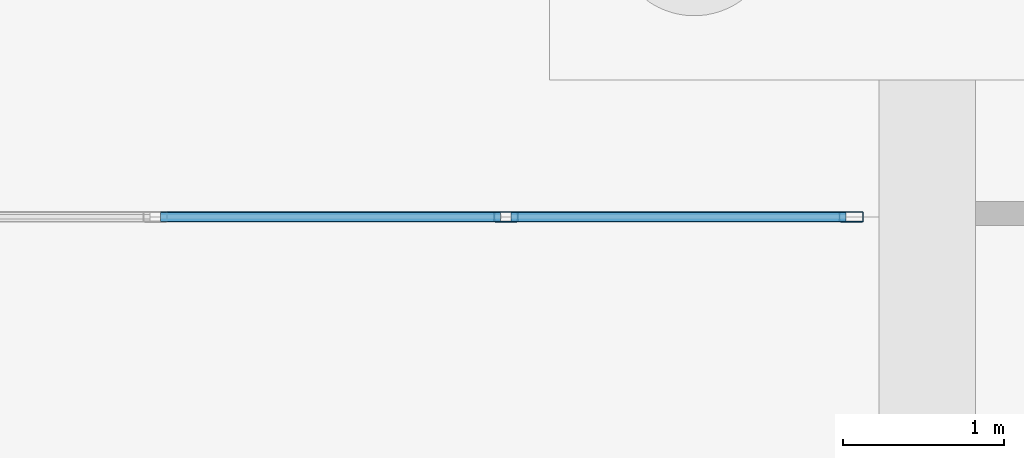
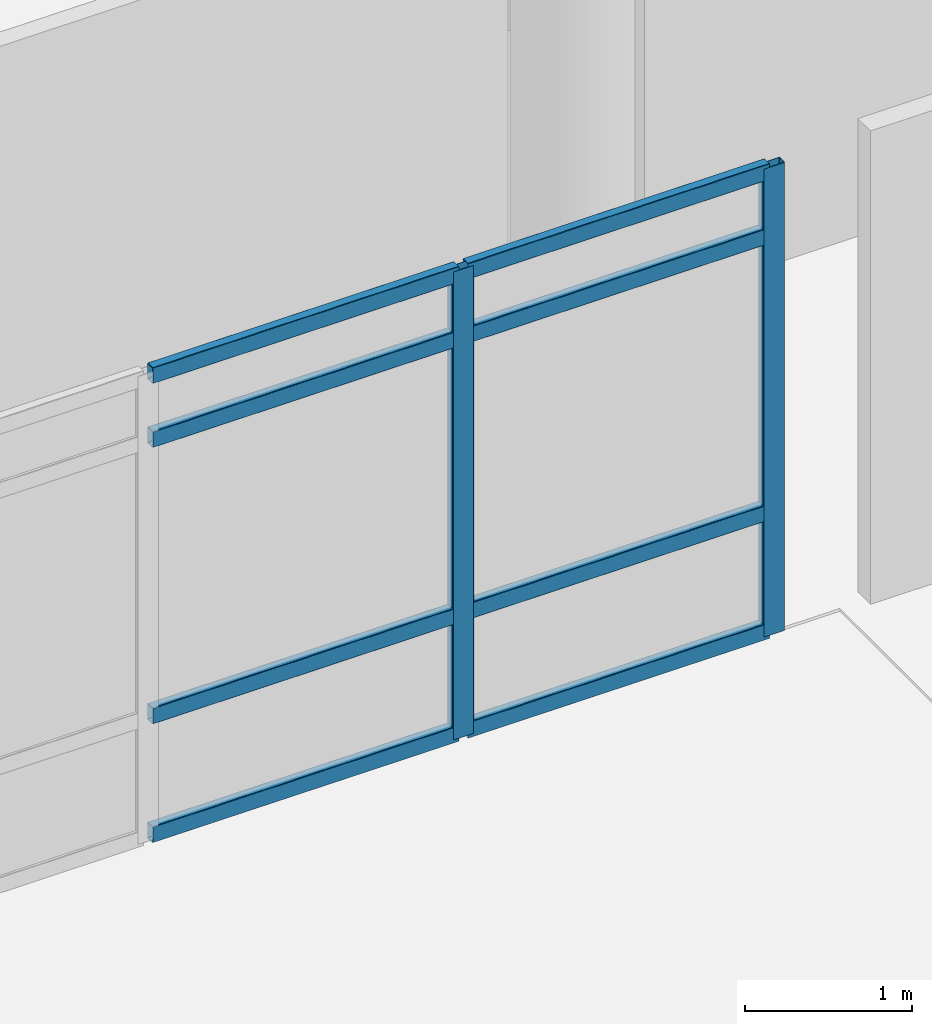
# One storey, part 102 of 196: 10 members, 1 element without a shape of its own.
"""IFC4 building model written with IfcOpenShell, lengths in metres."""

from ifc_helpers import new_model, si_unit, direction, frame, origin, origin_2d, place, context, subcontext, project, spatial, hollow_rectangle, extrude, material, layer, layer_set, material_profile, profile_set, type_object, element, aggregate, save


model = new_model("IFC4")

# Units and contexts
model_context = context("Model", 3, precision=1e-05, world=origin(), true_north=direction((0.0, 1.0)))
body_context = subcontext(model_context, "Body", "Model", "MODEL_VIEW")
ifc_project = project(units=[si_unit("LENGTHUNIT", "METRE"), si_unit("AREAUNIT", "SQUARE_METRE"), si_unit("VOLUMEUNIT", "CUBIC_METRE"), si_unit("PLANEANGLEUNIT", "RADIAN"), si_unit("MASSUNIT", "GRAM", prefix="KILO")], contexts=[model_context])

# Site, building, storey
site_placement = place(None, origin())
site = spatial("IfcSite", under=ifc_project, at=site_placement, CompositionType="ELEMENT")
building_placement = place(site_placement, origin())
building = spatial("IfcBuilding", under=site, at=building_placement, Name="Asteropetra Specialist Clinic", CompositionType="ELEMENT")
storey_placement = place(building_placement, origin())
storey = spatial("IfcBuildingStorey", under=building, at=storey_placement, Name="L00", CompositionType="ELEMENT", Elevation=0.0)

# Curtain wall, members
ifc_material_1 = material(Name="Aluminium and low-E glass", Category="aluminium")
ifc_layer = layer(ifc_material_1, 0.179931640625)
ifc_layer_set = layer_set([ifc_layer], Name="Aluminium and low-E glass")
curtain_wall_type = type_object("IfcCurtainWallType", Name="CW-SYS-04", PredefinedType="USERDEFINED", material=ifc_layer_set)
curtain_wall_placement = place(storey_placement, origin())
curtain_wall = element("IfcCurtainWall", 1, at=curtain_wall_placement, inside=storey, type_object=curtain_wall_type, Name="Curtain Wall CW-004", ObjectType="UNITISED CURTAIN WALL", PredefinedType="USERDEFINED")
ifc_material_2 = material(Name="Aluminium 6063-T6", Category="aluminium")
ifc_material_profile_1 = material_profile(ifc_material_2, hollow_rectangle(XDim=0.06494140625, YDim=0.14990234375, WallThickness=0.00390625, InnerFilletRadius=0.00390625, OuterFilletRadius=0.008056640625, at=origin_2d()), Name="MUL 150x65x4.0")
ifc_profile_set_1 = profile_set([ifc_material_profile_1], Name="Aluminium 6063-T6")
member_type_1 = type_object("IfcMemberType", Name="CWM-150x65", PredefinedType="MULLION", material=ifc_profile_set_1)
member_1_placement = place(storey_placement, frame((28.327392578125, 95.199951171875, 0.0), z_axis=(0.0, 0.0, 1.0), x_axis=(0.0, -1.0, 0.0)))
member_1 = element("IfcMember", 2, at=member_1_placement, type_object=member_type_1, Name="CW-004 mullion 1", PredefinedType="MULLION", context=body_context, shape_type="SweptSolid", body=[
    extrude(hollow_rectangle(XDim=0.06494140625, YDim=0.14990234375, WallThickness=0.00390625, InnerFilletRadius=0.00390625, OuterFilletRadius=0.008056640625, at=origin_2d()), origin(), (0.0, 0.0, 1.0), 3.419921875),
])
member_2_placement = place(storey_placement, frame((26.179931640625, 95.199951171875, 0.0), z_axis=(0.0, 0.0, 1.0), x_axis=(0.0, -1.0, 0.0)))
member_2 = element("IfcMember", 3, at=member_2_placement, type_object=member_type_1, Name="CW-004 mullion 2", PredefinedType="MULLION", context=body_context, shape_type="SweptSolid", body=[
    extrude(hollow_rectangle(XDim=0.06494140625, YDim=0.14990234375, WallThickness=0.00390625, InnerFilletRadius=0.00390625, OuterFilletRadius=0.008056640625, at=origin_2d()), origin(), (0.0, 0.0, 1.0), 3.419921875),
])
ifc_material_3 = material(Name="Aluminium 6063-T6", Category="aluminium")
ifc_material_profile_2 = material_profile(ifc_material_3, hollow_rectangle(XDim=0.06494140625, YDim=0.1201171875, WallThickness=0.00390625, InnerFilletRadius=0.00390625, OuterFilletRadius=0.008056640625, at=origin_2d()), Name="TRN 120x65x4.0")
ifc_profile_set_2 = profile_set([ifc_material_profile_2], Name="Aluminium 6063-T6")
member_type_2 = type_object("IfcMemberType", Name="CWT-120x65", PredefinedType="USERDEFINED", material=ifc_profile_set_2)
member_3_placement = place(storey_placement, frame((28.294921875, 95.199951171875, 0.032470703125), z_axis=(-1.0, 0.0, 0.0), x_axis=(0.0, -1.0, 0.0)))
member_3 = element("IfcMember", 4, at=member_3_placement, type_object=member_type_2, Name="CW-004 transom 1.1", ObjectType="TRANSOM", PredefinedType="USERDEFINED", context=body_context, shape_type="SweptSolid", body=[
    extrude(hollow_rectangle(XDim=0.06494140625, YDim=0.1201171875, WallThickness=0.00390625, InnerFilletRadius=0.00390625, OuterFilletRadius=0.008056640625, at=origin_2d()), origin(), (0.0, 0.0, 1.0), 2.08251953125),
])
member_4_placement = place(storey_placement, frame((28.294921875, 95.199951171875, 0.89990234375), z_axis=(-1.0, 0.0, 0.0), x_axis=(0.0, -1.0, 0.0)))
member_4 = element("IfcMember", 5, at=member_4_placement, type_object=member_type_2, Name="CW-004 transom 1.2", ObjectType="TRANSOM", PredefinedType="USERDEFINED", context=body_context, shape_type="SweptSolid", body=[
    extrude(hollow_rectangle(XDim=0.06494140625, YDim=0.1201171875, WallThickness=0.00390625, InnerFilletRadius=0.00390625, OuterFilletRadius=0.008056640625, at=origin_2d()), origin(), (0.0, 0.0, 1.0), 2.08251953125),
])
member_5_placement = place(storey_placement, frame((28.294921875, 95.199951171875, 2.919921875), z_axis=(-1.0, 0.0, 0.0), x_axis=(0.0, -1.0, 0.0)))
member_5 = element("IfcMember", 6, at=member_5_placement, type_object=member_type_2, Name="CW-004 transom 1.3", ObjectType="TRANSOM", PredefinedType="USERDEFINED", context=body_context, shape_type="SweptSolid", body=[
    extrude(hollow_rectangle(XDim=0.06494140625, YDim=0.1201171875, WallThickness=0.00390625, InnerFilletRadius=0.00390625, OuterFilletRadius=0.008056640625, at=origin_2d()), origin(), (0.0, 0.0, 1.0), 2.08251953125),
])
member_6_placement = place(storey_placement, frame((28.294921875, 95.199951171875, 3.387451171875), z_axis=(-1.0, 0.0, 0.0), x_axis=(0.0, -1.0, 0.0)))
member_6 = element("IfcMember", 7, at=member_6_placement, type_object=member_type_2, Name="CW-004 transom 1.4", ObjectType="TRANSOM", PredefinedType="USERDEFINED", context=body_context, shape_type="SweptSolid", body=[
    extrude(hollow_rectangle(XDim=0.06494140625, YDim=0.1201171875, WallThickness=0.00390625, InnerFilletRadius=0.00390625, OuterFilletRadius=0.008056640625, at=origin_2d()), origin(), (0.0, 0.0, 1.0), 2.08251953125),
])
member_7_placement = place(storey_placement, frame((26.1474609375, 95.199951171875, 0.032470703125), z_axis=(-1.0, 0.0, 0.0), x_axis=(0.0, -1.0, 0.0)))
member_7 = element("IfcMember", 8, at=member_7_placement, type_object=member_type_2, Name="CW-004 transom 2.1", ObjectType="TRANSOM", PredefinedType="USERDEFINED", context=body_context, shape_type="SweptSolid", body=[
    extrude(hollow_rectangle(XDim=0.06494140625, YDim=0.1201171875, WallThickness=0.00390625, InnerFilletRadius=0.00390625, OuterFilletRadius=0.008056640625, at=origin_2d()), origin(), (0.0, 0.0, 1.0), 2.114990234375),
])
member_8_placement = place(storey_placement, frame((26.1474609375, 95.199951171875, 0.89990234375), z_axis=(-1.0, 0.0, 0.0), x_axis=(0.0, -1.0, 0.0)))
member_8 = element("IfcMember", 9, at=member_8_placement, type_object=member_type_2, Name="CW-004 transom 2.2", ObjectType="TRANSOM", PredefinedType="USERDEFINED", context=body_context, shape_type="SweptSolid", body=[
    extrude(hollow_rectangle(XDim=0.06494140625, YDim=0.1201171875, WallThickness=0.00390625, InnerFilletRadius=0.00390625, OuterFilletRadius=0.008056640625, at=origin_2d()), origin(), (0.0, 0.0, 1.0), 2.114990234375),
])
member_9_placement = place(storey_placement, frame((26.1474609375, 95.199951171875, 2.919921875), z_axis=(-1.0, 0.0, 0.0), x_axis=(0.0, -1.0, 0.0)))
member_9 = element("IfcMember", 10, at=member_9_placement, type_object=member_type_2, Name="CW-004 transom 2.3", ObjectType="TRANSOM", PredefinedType="USERDEFINED", context=body_context, shape_type="SweptSolid", body=[
    extrude(hollow_rectangle(XDim=0.06494140625, YDim=0.1201171875, WallThickness=0.00390625, InnerFilletRadius=0.00390625, OuterFilletRadius=0.008056640625, at=origin_2d()), origin(), (0.0, 0.0, 1.0), 2.114990234375),
])
member_10_placement = place(storey_placement, frame((26.1474609375, 95.199951171875, 3.387451171875), z_axis=(-1.0, 0.0, 0.0), x_axis=(0.0, -1.0, 0.0)))
member_10 = element("IfcMember", 11, at=member_10_placement, type_object=member_type_2, Name="CW-004 transom 2.4", ObjectType="TRANSOM", PredefinedType="USERDEFINED", context=body_context, shape_type="SweptSolid", body=[
    extrude(hollow_rectangle(XDim=0.06494140625, YDim=0.1201171875, WallThickness=0.00390625, InnerFilletRadius=0.00390625, OuterFilletRadius=0.008056640625, at=origin_2d()), origin(), (0.0, 0.0, 1.0), 2.114990234375),
])
aggregate(curtain_wall, [member_1, member_2, member_3, member_4, member_5, member_6, member_7, member_8, member_9, member_10])

save(model, "model.ifc")
